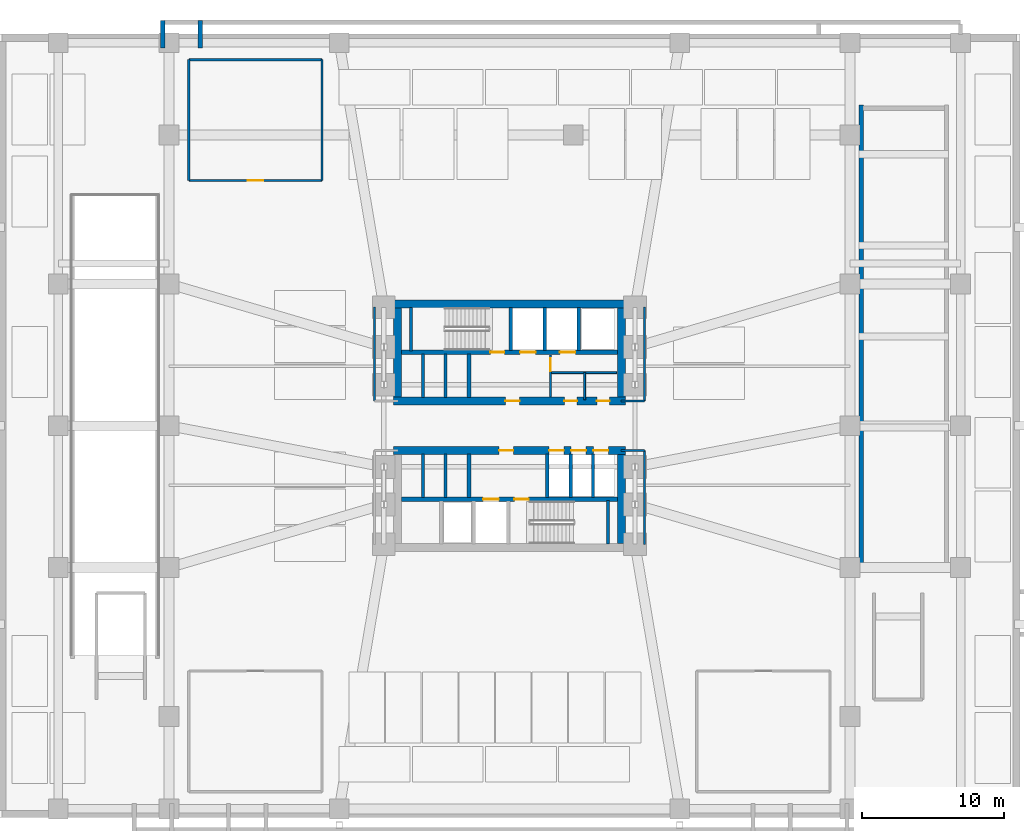
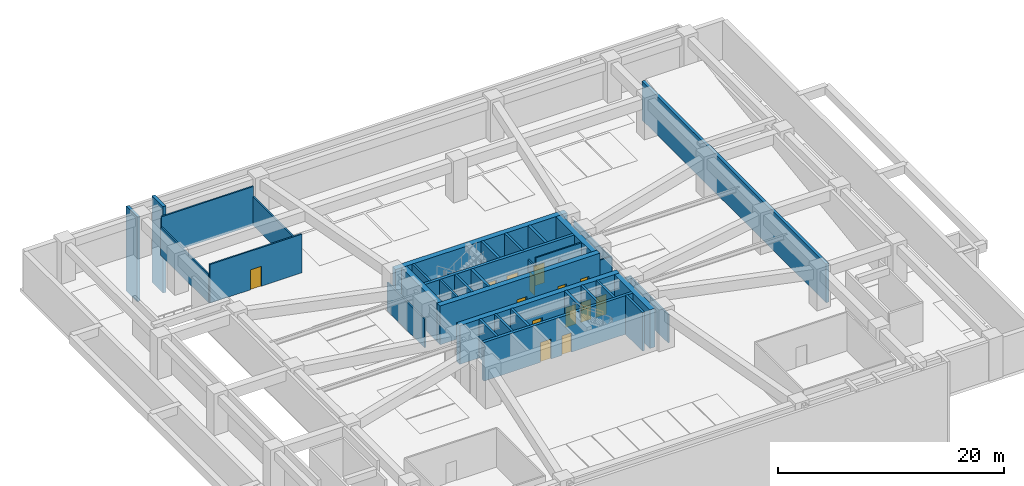
# One storey, part 7 of 13: 37 walls, 14 doors, 14 openings.
"""IFC4 building model written with IfcOpenShell, lengths in metres."""

from ifc_helpers import new_model, si_unit, direction, frame, frame_2d, origin, place, context, subcontext, project, spatial, rectangle, extrude, material, layer, layer_set, type_object, element, fill, save


model = new_model("IFC4")

# Units and contexts
model_context = context("Model", 3, precision=1e-05, world=origin(), true_north=direction((0.0, 1.0)))
body_context = subcontext(model_context, "Body", "Model", "MODEL_VIEW")
ifc_project = project(units=[si_unit("LENGTHUNIT", "METRE"), si_unit("AREAUNIT", "SQUARE_METRE"), si_unit("VOLUMEUNIT", "CUBIC_METRE"), si_unit("PLANEANGLEUNIT", "RADIAN"), si_unit("MASSUNIT", "GRAM", prefix="KILO")], contexts=[model_context])

# Site, building, storey
site_placement = place(None, origin())
site = spatial("IfcSite", under=ifc_project, at=site_placement, CompositionType="ELEMENT")
building_placement = place(site_placement, origin())
building = spatial("IfcBuilding", under=site, at=building_placement, Name="Solmarez Civic Tower", CompositionType="ELEMENT")
storey_placement = place(building_placement, frame((0.0, 0.0, -4.5)))
storey = spatial("IfcBuildingStorey", under=building, at=storey_placement, Name="B1", CompositionType="ELEMENT", Elevation=-4.5)

# Wall
ifc_material_1 = material(Name="Concrete C60/75", Category="concrete")
ifc_layer_1 = layer(ifc_material_1, 0.550048828125)
ifc_layer_set_1 = layer_set([ifc_layer_1], Name="Concrete C60/75")
wall_type_1 = type_object("IfcWallType", Name="WALL-CORE-550", PredefinedType="SHEAR", material=ifc_layer_set_1)
wall_1_placement = place(storey_placement, frame((-8.780029296875, 8.5849609375, 0.0), z_axis=(0.0, 0.0, 1.0), x_axis=(1.0, 0.0, 0.0)))
element("IfcWall", 1, at=wall_1_placement, inside=storey, type_object=wall_type_1, Name="B1 Split-Core Structural Wall NCW-N-B1", PredefinedType="SHEAR", context=body_context, shape_type="SweptSolid", body=[
    extrude(rectangle(XDim=17.56005859375, YDim=0.550048828125, at=frame_2d((8.780029296875, 0.0))), origin(), (0.0, 0.0, 1.0), 4.179931640625),
])

# Wall, openings, doors
wall_2_placement = place(storey_placement, frame((8.169921875, 1.75, 0.0), z_axis=(0.0, 0.0, 1.0), x_axis=(-1.0, 0.0, 0.0)))
wall_2 = element("IfcWall", 2, at=wall_2_placement, inside=storey, type_object=wall_type_1, Name="B1 Split-Core Structural Wall NCW-S-B1", PredefinedType="SHEAR", context=body_context, shape_type="SweptSolid", body=[
    extrude(rectangle(XDim=16.33984375, YDim=0.550048828125, at=frame_2d((8.169921875, 0.0))), origin(), (0.0, 0.0, 1.0), 4.179931640625),
])
opening_1_placement = place(wall_2_placement, frame((7.449951171875, 0.0, 0.0)))
opening_1 = element("IfcOpeningElement", 3, at=opening_1_placement, cuts=wall_2, Name="Opening D-04", PredefinedType="OPENING", context=body_context, shape_type="SweptSolid", body=[
    extrude(rectangle(XDim=1.0, YDim=2.10009765625, at=frame_2d((0.5, 1.050048828125))), frame((0.0, 0.284912109375, 0.0), z_axis=(0.0, -1.0, 0.0), x_axis=(1.0, 0.0, 0.0)), (0.0, 0.0, 1.0), 0.570068359375),
])
opening_2_placement = place(wall_2_placement, frame((3.39990234375, 0.0, 0.0)))
opening_2 = element("IfcOpeningElement", 4, at=opening_2_placement, cuts=wall_2, Name="Opening D-09", PredefinedType="OPENING", context=body_context, shape_type="SweptSolid", body=[
    extrude(rectangle(XDim=0.89990234375, YDim=2.06005859375, at=frame_2d((0.449951171875, 1.030029296875))), frame((0.0, 0.284912109375, 0.0), z_axis=(0.0, -1.0, 0.0), x_axis=(1.0, 0.0, 0.0)), (0.0, 0.0, 1.0), 0.570068359375),
])
opening_3_placement = place(wall_2_placement, frame((1.10009765625, 0.0, 0.0)))
opening_3 = element("IfcOpeningElement", 5, at=opening_3_placement, cuts=wall_2, Name="Opening D-09", PredefinedType="OPENING", context=body_context, shape_type="SweptSolid", body=[
    extrude(rectangle(XDim=0.89990234375, YDim=2.06005859375, at=frame_2d((0.449951171875, 1.030029296875))), frame((0.0, 0.284912109375, 0.0), z_axis=(0.0, -1.0, 0.0), x_axis=(1.0, 0.0, 0.0)), (0.0, 0.0, 1.0), 0.570068359375),
])
ifc_material_2 = material(Name="Steel-Faced Acoustic Fire Door", Category="steel")
door_type_1 = type_object("IfcDoorType", Name="DOOR-FD60-1000", OperationType="NOTDEFINED", PredefinedType="DOOR", material=ifc_material_2)
door_1_placement = place(opening_1_placement, origin())
door_1 = element("IfcDoor", 6, at=door_1_placement, inside=storey, type_object=door_type_1, Name="B1 North Firefighting Lobby Door", OperationType="SINGLE_SWING_RIGHT", OverallHeight=2.10009765625, OverallWidth=1.0, PredefinedType="DOOR", context=body_context, shape_type="SweptSolid", body=[
    extrude(rectangle(XDim=1.0, YDim=2.10009765625, at=frame_2d((0.5, 1.050048828125))), frame((0.0, 0.02490234375, 0.0), z_axis=(0.0, -1.0, 0.0), x_axis=(1.0, 0.0, 0.0)), (0.0, 0.0, 1.0), 0.050048828125),
])
fill(opening_1, door_1)
ifc_material_3 = material(Name="Fire-Rated Service Core Door", Category="wood")
door_type_2 = type_object("IfcDoorType", Name="DOOR-FD60-900", OperationType="NOTDEFINED", PredefinedType="DOOR", material=ifc_material_3)
door_2_placement = place(opening_2_placement, origin())
door_2 = element("IfcDoor", 7, at=door_2_placement, inside=storey, type_object=door_type_2, Name="B1 Core WC Door", OperationType="SINGLE_SWING_LEFT", OverallHeight=2.06005859375, OverallWidth=0.89990234375, PredefinedType="DOOR", context=body_context, shape_type="SweptSolid", body=[
    extrude(rectangle(XDim=0.89990234375, YDim=2.06005859375, at=frame_2d((0.449951171875, 1.030029296875))), frame((0.0, 0.02490234375, 0.0), z_axis=(0.0, -1.0, 0.0), x_axis=(1.0, 0.0, 0.0)), (0.0, 0.0, 1.0), 0.050048828125),
])
fill(opening_2, door_2)
door_3_placement = place(opening_3_placement, origin())
door_3 = element("IfcDoor", 8, at=door_3_placement, inside=storey, type_object=door_type_2, Name="B1 Core CL Door", OperationType="SINGLE_SWING_RIGHT", OverallHeight=2.06005859375, OverallWidth=0.89990234375, PredefinedType="DOOR", context=body_context, shape_type="SweptSolid", body=[
    extrude(rectangle(XDim=0.89990234375, YDim=2.06005859375, at=frame_2d((0.449951171875, 1.030029296875))), frame((0.0, 0.02490234375, 0.0), z_axis=(0.0, -1.0, 0.0), x_axis=(1.0, 0.0, 0.0)), (0.0, 0.0, 1.0), 0.050048828125),
])
fill(opening_3, door_3)

# Walls
for number, where, z_axis, x_axis, name in (
    (9, (-7.89501953125, 2.02490234375, 0.0), (0.0, 0.0, 1.0), (0.0, 1.0, 0.0), "B1 Split-Core Structural Wall NCW-W-B1"),
    (10, (7.89501953125, 8.31005859375, 0.0), (0.0, 0.0, 1.0), (0.0, -1.0, 0.0), "B1 Split-Core Structural Wall NCW-E-B1"),
):
    element("IfcWall", number, at=place(storey_placement, frame(where, z_axis=z_axis, x_axis=x_axis)), inside=storey, type_object=wall_type_1, Name=name, PredefinedType="SHEAR", context=body_context, shape_type="SweptSolid", body=[
        extrude(rectangle(XDim=6.28515625, YDim=0.550048828125, at=frame_2d((3.142578125, 0.0))), origin(), (0.0, 0.0, 1.0), 4.179931640625),
    ])

# Wall, openings, doors
wall_3_placement = place(storey_placement, frame((-8.169921875, -1.75, 0.0), z_axis=(0.0, 0.0, 1.0), x_axis=(1.0, 0.0, 0.0)))
wall_3 = element("IfcWall", 11, at=wall_3_placement, inside=storey, type_object=wall_type_1, Name="B1 Split-Core Structural Wall SCW-N-B1", PredefinedType="SHEAR", context=body_context, shape_type="SweptSolid", body=[
    extrude(rectangle(XDim=16.33984375, YDim=0.550048828125, at=frame_2d((8.169921875, 0.0))), origin(), (0.0, 0.0, 1.0), 4.179931640625),
])
opening_4_placement = place(wall_3_placement, frame((7.449951171875, 0.0, 0.0)))
opening_4 = element("IfcOpeningElement", 12, at=opening_4_placement, cuts=wall_3, Name="Opening D-04", PredefinedType="OPENING", context=body_context, shape_type="SweptSolid", body=[
    extrude(rectangle(XDim=1.0, YDim=2.10009765625, at=frame_2d((0.5, 1.050048828125))), frame((0.0, 0.284912109375, 0.0), z_axis=(0.0, -1.0, 0.0), x_axis=(1.0, 0.0, 0.0)), (0.0, 0.0, 1.0), 0.570068359375),
])
opening_5_placement = place(wall_3_placement, frame((10.965087890625, 0.0, 0.0)))
opening_5 = element("IfcOpeningElement", 13, at=opening_5_placement, cuts=wall_3, Name="Opening LD-01", PredefinedType="OPENING", context=body_context, shape_type="SweptSolid", body=[
    extrude(rectangle(XDim=1.050048828125, YDim=2.14990234375, at=frame_2d((0.52490234375, 1.074951171875))), frame((0.0, 0.284912109375, 0.0), z_axis=(0.0, -1.0, 0.0), x_axis=(1.0, 0.0, 0.0)), (0.0, 0.0, 1.0), 0.570068359375),
])
opening_6_placement = place(wall_3_placement, frame((12.52490234375, 0.0, 0.0)))
opening_6 = element("IfcOpeningElement", 14, at=opening_6_placement, cuts=wall_3, Name="Opening LD-01", PredefinedType="OPENING", context=body_context, shape_type="SweptSolid", body=[
    extrude(rectangle(XDim=1.050048828125, YDim=2.14990234375, at=frame_2d((0.52490234375, 1.074951171875))), frame((0.0, 0.284912109375, 0.0), z_axis=(0.0, -1.0, 0.0), x_axis=(1.0, 0.0, 0.0)), (0.0, 0.0, 1.0), 0.570068359375),
])
opening_7_placement = place(wall_3_placement, frame((14.0849609375, 0.0, 0.0)))
opening_7 = element("IfcOpeningElement", 15, at=opening_7_placement, cuts=wall_3, Name="Opening LD-01", PredefinedType="OPENING", context=body_context, shape_type="SweptSolid", body=[
    extrude(rectangle(XDim=1.050048828125, YDim=2.14990234375, at=frame_2d((0.52490234375, 1.074951171875))), frame((0.0, 0.284912109375, 0.0), z_axis=(0.0, -1.0, 0.0), x_axis=(1.0, 0.0, 0.0)), (0.0, 0.0, 1.0), 0.570068359375),
])
door_4_placement = place(opening_4_placement, origin())
door_4 = element("IfcDoor", 16, at=door_4_placement, inside=storey, type_object=door_type_1, Name="B1 South Firefighting Lobby Door", OperationType="SINGLE_SWING_LEFT", OverallHeight=2.10009765625, OverallWidth=1.0, PredefinedType="DOOR", context=body_context, shape_type="SweptSolid", body=[
    extrude(rectangle(XDim=1.0, YDim=2.10009765625, at=frame_2d((0.5, 1.050048828125))), frame((0.0, 0.02490234375, 0.0), z_axis=(0.0, -1.0, 0.0), x_axis=(1.0, 0.0, 0.0)), (0.0, 0.0, 1.0), 0.050048828125),
])
fill(opening_4, door_4)
ifc_material_4 = material(Name="Bronze Passenger Lift Landing Sliding Door", Category="aluminium")
door_type_3 = type_object("IfcDoorType", Name="DOOR-LD-PAX-1050", OperationType="DOUBLE_DOOR_SLIDING", PredefinedType="DOOR", material=ifc_material_4)
door_5_placement = place(opening_5_placement, origin())
door_5 = element("IfcDoor", 17, at=door_5_placement, inside=storey, type_object=door_type_3, Name="B1 Low-Rise Lift Landing Door PL-L1", OperationType="DOUBLE_DOOR_SLIDING", OverallHeight=2.14990234375, OverallWidth=1.050048828125, PredefinedType="DOOR", context=body_context, shape_type="SweptSolid", body=[
    extrude(rectangle(XDim=1.050048828125, YDim=2.14990234375, at=frame_2d((0.52490234375, 1.074951171875))), frame((0.0, 0.02490234375, 0.0), z_axis=(0.0, -1.0, 0.0), x_axis=(1.0, 0.0, 0.0)), (0.0, 0.0, 1.0), 0.050048828125),
])
fill(opening_5, door_5)
door_6_placement = place(opening_6_placement, origin())
door_6 = element("IfcDoor", 18, at=door_6_placement, inside=storey, type_object=door_type_3, Name="B1 Low-Rise Lift Landing Door PL-L2", OperationType="DOUBLE_DOOR_SLIDING", OverallHeight=2.14990234375, OverallWidth=1.050048828125, PredefinedType="DOOR", context=body_context, shape_type="SweptSolid", body=[
    extrude(rectangle(XDim=1.050048828125, YDim=2.14990234375, at=frame_2d((0.52490234375, 1.074951171875))), frame((0.0, 0.02490234375, 0.0), z_axis=(0.0, -1.0, 0.0), x_axis=(1.0, 0.0, 0.0)), (0.0, 0.0, 1.0), 0.050048828125),
])
fill(opening_6, door_6)
door_7_placement = place(opening_7_placement, origin())
door_7 = element("IfcDoor", 19, at=door_7_placement, inside=storey, type_object=door_type_3, Name="B1 Low-Rise Lift Landing Door PL-L3", OperationType="DOUBLE_DOOR_SLIDING", OverallHeight=2.14990234375, OverallWidth=1.050048828125, PredefinedType="DOOR", context=body_context, shape_type="SweptSolid", body=[
    extrude(rectangle(XDim=1.050048828125, YDim=2.14990234375, at=frame_2d((0.52490234375, 1.074951171875))), frame((0.0, 0.02490234375, 0.0), z_axis=(0.0, -1.0, 0.0), x_axis=(1.0, 0.0, 0.0)), (0.0, 0.0, 1.0), 0.050048828125),
])
fill(opening_7, door_7)

# Walls
wall_4_placement = place(storey_placement, frame((7.89501953125, -2.02490234375, 0.0), z_axis=(0.0, 0.0, 1.0), x_axis=(0.0, -1.0, 0.0)))
element("IfcWall", 20, at=wall_4_placement, inside=storey, type_object=wall_type_1, Name="B1 Split-Core Structural Wall SCW-E-B1", PredefinedType="SHEAR", context=body_context, shape_type="SweptSolid", body=[
    extrude(rectangle(XDim=6.28515625, YDim=0.550048828125, at=frame_2d((3.142578125, 0.0))), origin(), (0.0, 0.0, 1.0), 4.179931640625),
])
ifc_material_5 = material(Name="Gypsum Board Acoustic Steel-Stud Partition", Category="steel")
ifc_layer_2 = layer(ifc_material_5, 0.14990234375)
ifc_layer_set_2 = layer_set([ifc_layer_2], Name="Gypsum Board Acoustic Steel-Stud Partition")
wall_type_2 = type_object("IfcWallType", Name="WALL-INT-FIRE-150", PredefinedType="PARTITIONING", material=ifc_layer_set_2)
for number, where, z_axis, x_axis, name in (
    (21, (-9.52001953125, 1.75, 0.0), (0.0, 0.0, 1.0), (0.0, 1.0, 0.0), "B1 Interior Partition CHW-B1-WN1"),
    (22, (9.52001953125, 1.75, 0.0), (0.0, 0.0, 1.0), (0.0, 1.0, 0.0), "B1 Interior Partition CHW-B1-EN1"),
):
    element("IfcWall", number, at=place(storey_placement, frame(where, z_axis=z_axis, x_axis=x_axis)), inside=storey, type_object=wall_type_2, Name=name, PredefinedType="PARTITIONING", context=body_context, shape_type="SweptSolid", body=[
        extrude(rectangle(XDim=6.6298828125, YDim=0.14990234375, at=frame_2d((3.31494140625, 0.0))), origin(), (0.0, 0.0, 1.0), 3.072021484375),
    ])
wall_5_placement = place(storey_placement, frame((7.85009765625, 1.75, 0.0), z_axis=(0.0, 0.0, 1.0), x_axis=(1.0, 0.0, 0.0)))
element("IfcWall", 23, at=wall_5_placement, inside=storey, type_object=wall_type_2, Name="B1 Interior Partition CHW-B1-EN3", PredefinedType="PARTITIONING", context=body_context, shape_type="SweptSolid", body=[
    extrude(rectangle(XDim=1.669921875, YDim=0.14990234375, at=frame_2d((0.8349609375, 0.0))), origin(), (0.0, 0.0, 1.0), 3.2451171875),
])
wall_6_placement = place(storey_placement, frame((9.52001953125, -8.3798828125, 0.0), z_axis=(0.0, 0.0, 1.0), x_axis=(0.0, 1.0, 0.0)))
element("IfcWall", 24, at=wall_6_placement, inside=storey, type_object=wall_type_2, Name="B1 Interior Partition CHW-B1-ES1", PredefinedType="PARTITIONING", context=body_context, shape_type="SweptSolid", body=[
    extrude(rectangle(XDim=6.6298828125, YDim=0.14990234375, at=frame_2d((3.31494140625, 0.0))), origin(), (0.0, 0.0, 1.0), 3.072021484375),
])
wall_7_placement = place(storey_placement, frame((7.85009765625, -1.75, 0.0), z_axis=(0.0, 0.0, 1.0), x_axis=(1.0, 0.0, 0.0)))
element("IfcWall", 25, at=wall_7_placement, inside=storey, type_object=wall_type_2, Name="B1 Interior Partition CHW-B1-ES3", PredefinedType="PARTITIONING", context=body_context, shape_type="SweptSolid", body=[
    extrude(rectangle(XDim=1.669921875, YDim=0.14990234375, at=frame_2d((0.8349609375, 0.0))), origin(), (0.0, 0.0, 1.0), 3.2451171875),
])

# Wall, opening, door
wall_8_placement = place(storey_placement, frame((-13.199951171875, 17.280029296875, 0.0), z_axis=(0.0, 0.0, 1.0), x_axis=(-1.0, 0.0, 0.0)))
wall_8 = element("IfcWall", 26, at=wall_8_placement, inside=storey, type_object=wall_type_2, Name="B1 Interior Partition PT-B1-NW-F", PredefinedType="PARTITIONING", context=body_context, shape_type="SweptSolid", body=[
    extrude(rectangle(XDim=9.400146484375, YDim=0.14990234375, at=frame_2d((4.7001953125, 0.0))), origin(), (0.0, 0.0, 1.0), 4.179931640625),
])
opening_8_placement = place(wall_8_placement, frame((4.14990234375, 0.0, 0.0)))
opening_8 = element("IfcOpeningElement", 27, at=opening_8_placement, cuts=wall_8, Name="Opening D-07", PredefinedType="OPENING", context=body_context, shape_type="SweptSolid", body=[
    extrude(rectangle(XDim=1.10009765625, YDim=2.14990234375, at=frame_2d((0.550048828125, 1.074951171875))), frame((0.0, 0.0849609375, 0.0), z_axis=(0.0, -1.0, 0.0), x_axis=(1.0, 0.0, 0.0)), (0.0, 0.0, 1.0), 0.169921875),
])
ifc_material_6 = material(Name="Heavy-Duty Fire Exit Door", Category="wood")
door_type_4 = type_object("IfcDoorType", Name="DOOR-FD90-1100", OperationType="NOTDEFINED", PredefinedType="DOOR", material=ifc_material_6)
door_8_placement = place(opening_8_placement, origin())
door_8 = element("IfcDoor", 28, at=door_8_placement, inside=storey, type_object=door_type_4, Name="B1 Bicycle Store and Staff Lockers Door", OperationType="SINGLE_SWING_LEFT", OverallHeight=2.14990234375, OverallWidth=1.10009765625, PredefinedType="DOOR", context=body_context, shape_type="SweptSolid", body=[
    extrude(rectangle(XDim=1.10009765625, YDim=2.14990234375, at=frame_2d((0.550048828125, 1.074951171875))), frame((0.0, 0.02490234375, 0.0), z_axis=(0.0, -1.0, 0.0), x_axis=(1.0, 0.0, 0.0)), (0.0, 0.0, 1.0), 0.050048828125),
])
fill(opening_8, door_8)

# Walls
for number, where, z_axis, x_axis, name in (
    (29, (-22.60009765625, 17.280029296875, 0.0), (0.0, 0.0, 1.0), (0.0, 1.0, 0.0), "B1 Interior Partition PT-B1-NW-W"),
    (30, (-13.199951171875, 17.280029296875, 0.0), (0.0, 0.0, 1.0), (0.0, 1.0, 0.0), "B1 Interior Partition PT-B1-NW-E"),
):
    element("IfcWall", number, at=place(storey_placement, frame(where, z_axis=z_axis, x_axis=x_axis)), inside=storey, type_object=wall_type_2, Name=name, PredefinedType="PARTITIONING", context=body_context, shape_type="SweptSolid", body=[
        extrude(rectangle(XDim=8.52001953125, YDim=0.14990234375, at=frame_2d((4.260009765625, 0.0))), origin(), (0.0, 0.0, 1.0), 3.072021484375),
    ])
wall_9_placement = place(storey_placement, frame((-22.60009765625, 25.800048828125, 0.0), z_axis=(0.0, 0.0, 1.0), x_axis=(1.0, 0.0, 0.0)))
element("IfcWall", 31, at=wall_9_placement, inside=storey, type_object=wall_type_2, Name="B1 Interior Partition PT-B1-NW-B", PredefinedType="PARTITIONING", context=body_context, shape_type="SweptSolid", body=[
    extrude(rectangle(XDim=9.400146484375, YDim=0.14990234375, at=frame_2d((4.7001953125, 0.0))), origin(), (0.0, 0.0, 1.0), 4.179931640625),
])

# Wall, opening, door
ifc_layer_3 = layer(ifc_material_5, 0.159912109375)
ifc_layer_set_3 = layer_set([ifc_layer_3], Name="Gypsum Board Acoustic Steel-Stud Partition")
wall_type_3 = type_object("IfcWallType", Name="WALL-INT-SHAFT-160", PredefinedType="PARTITIONING", material=ifc_layer_set_3)
wall_10_placement = place(storey_placement, frame((2.89990234375, 2.0400390625, 0.0), z_axis=(0.0, 0.0, 1.0), x_axis=(0.0, 1.0, 0.0)))
wall_10 = element("IfcWall", 32, at=wall_10_placement, inside=storey, type_object=wall_type_3, Name="B1 Interior Partition SHW-NL2-B1", PredefinedType="PARTITIONING", context=body_context, shape_type="SweptSolid", body=[
    extrude(rectangle(XDim=2.93994140625, YDim=0.159912109375, at=frame_2d((1.469970703125, 0.0))), origin(), (0.0, 0.0, 1.0), 3.2451171875),
])
opening_9_placement = place(wall_10_placement, frame((1.820068359375, 0.0, 0.0)))
opening_9 = element("IfcOpeningElement", 33, at=opening_9_placement, cuts=wall_10, Name="Opening D-09", PredefinedType="OPENING", context=body_context, shape_type="SweptSolid", body=[
    extrude(rectangle(XDim=0.89990234375, YDim=2.06005859375, at=frame_2d((0.449951171875, 1.030029296875))), frame((0.0, 0.08984375, 0.0), z_axis=(0.0, -1.0, 0.0), x_axis=(1.0, 0.0, 0.0)), (0.0, 0.0, 1.0), 0.179931640625),
])
door_9_placement = place(opening_9_placement, origin())
door_9 = element("IfcDoor", 34, at=door_9_placement, inside=storey, type_object=door_type_2, Name="B1 Service Lift Lobby Door", OperationType="SINGLE_SWING_LEFT", OverallHeight=2.06005859375, OverallWidth=0.89990234375, PredefinedType="DOOR", context=body_context, shape_type="SweptSolid", body=[
    extrude(rectangle(XDim=0.89990234375, YDim=2.06005859375, at=frame_2d((0.449951171875, 1.030029296875))), frame((0.0, 0.02490234375, 0.0), z_axis=(0.0, -1.0, 0.0), x_axis=(1.0, 0.0, 0.0)), (0.0, 0.0, 1.0), 0.050048828125),
])
fill(opening_9, door_9)

# Walls
ifc_layer_4 = layer(ifc_material_5, 0.137939453125)
ifc_layer_set_4 = layer_set([ifc_layer_4], Name="Gypsum Board Acoustic Steel-Stud Partition")
wall_type_4 = type_object("IfcWallType", Name="WALL-INT-WET-140", PredefinedType="PARTITIONING", material=ifc_layer_set_4)
wall_11_placement = place(storey_placement, frame((2.89990234375, 3.739990234375, 0.0), z_axis=(0.0, 0.0, 1.0), x_axis=(1.0, 0.0, 0.0)))
element("IfcWall", 35, at=wall_11_placement, inside=storey, type_object=wall_type_4, Name="B1 Interior Partition SHW-SVH-B1", PredefinedType="PARTITIONING", context=body_context, shape_type="SweptSolid", body=[
    extrude(rectangle(XDim=4.650146484375, YDim=0.137939453125, at=frame_2d((2.3251953125, 0.0))), origin(), (0.0, 0.0, 1.0), 4.179931640625),
])
wall_12_placement = place(storey_placement, frame((5.300048828125, 1.85009765625, 0.0), z_axis=(0.0, 0.0, 1.0), x_axis=(0.0, 1.0, 0.0)))
element("IfcWall", 36, at=wall_12_placement, inside=storey, type_object=wall_type_4, Name="B1 Interior Partition PT-NCSV-B1", PredefinedType="PARTITIONING", context=body_context, shape_type="SweptSolid", body=[
    extrude(rectangle(XDim=1.889892578125, YDim=0.137939453125, at=frame_2d((0.94482421875, 0.0))), origin(), (0.0, 0.0, 1.0), 3.2451171875),
])

# Wall, openings, doors
ifc_material_7 = material(Name="Concrete C50/60", Category="concrete")
ifc_layer_5 = layer(ifc_material_7, 0.300048828125)
ifc_layer_set_5 = layer_set([ifc_layer_5], Name="Concrete C50/60")
wall_type_5 = type_object("IfcWallType", Name="WALL-STR-300", PredefinedType="SOLIDWALL", material=ifc_layer_set_5)
wall_13_placement = place(storey_placement, frame((7.6201171875, 5.179931640625, 0.0), z_axis=(0.0, 0.0, 1.0), x_axis=(-1.0, 0.0, 0.0)))
wall_13 = element("IfcWall", 37, at=wall_13_placement, inside=storey, type_object=wall_type_5, Name="B1 Split-Core Structural Wall NCW-M-B1", PredefinedType="SOLIDWALL", context=body_context, shape_type="SweptSolid", body=[
    extrude(rectangle(XDim=15.240234375, YDim=0.300048828125, at=frame_2d((7.6201171875, 0.0))), origin(), (0.0, 0.0, 1.0), 4.179931640625),
])
opening_10_placement = place(wall_13_placement, frame((5.77001953125, 0.0, 0.0)))
opening_10 = element("IfcOpeningElement", 38, at=opening_10_placement, cuts=wall_13, Name="Opening LD-02", PredefinedType="OPENING", context=body_context, shape_type="SweptSolid", body=[
    extrude(rectangle(XDim=1.10009765625, YDim=2.14990234375, at=frame_2d((0.550048828125, 1.074951171875))), frame((0.0, 0.159912109375, 0.0), z_axis=(0.0, -1.0, 0.0), x_axis=(1.0, 0.0, 0.0)), (0.0, 0.0, 1.0), 0.320068359375),
])
opening_11_placement = place(wall_13_placement, frame((2.969970703125, 0.0, 0.0)))
opening_11 = element("IfcOpeningElement", 39, at=opening_11_placement, cuts=wall_13, Name="Opening LD-03", PredefinedType="OPENING", context=body_context, shape_type="SweptSolid", body=[
    extrude(rectangle(XDim=1.10009765625, YDim=2.14990234375, at=frame_2d((0.550048828125, 1.074951171875))), frame((0.0, 0.159912109375, 0.0), z_axis=(0.0, -1.0, 0.0), x_axis=(1.0, 0.0, 0.0)), (0.0, 0.0, 1.0), 0.320068359375),
])
opening_12_placement = place(wall_13_placement, frame((7.969970703125, 0.0, 0.0)))
opening_12 = element("IfcOpeningElement", 40, at=opening_12_placement, cuts=wall_13, Name="Opening D-05", PredefinedType="OPENING", context=body_context, shape_type="SweptSolid", body=[
    extrude(rectangle(XDim=1.0, YDim=2.10009765625, at=frame_2d((0.5, 1.050048828125))), frame((0.0, 0.159912109375, 0.0), z_axis=(0.0, -1.0, 0.0), x_axis=(1.0, 0.0, 0.0)), (0.0, 0.0, 1.0), 0.320068359375),
])
ifc_material_8 = material(Name="Fire-Rated Stairwell Exit Door", Category="wood")
door_type_5 = type_object("IfcDoorType", Name="DOOR-FD90-1000", OperationType="NOTDEFINED", PredefinedType="DOOR", material=ifc_material_8)
door_10_placement = place(opening_12_placement, origin())
door_10 = element("IfcDoor", 41, at=door_10_placement, inside=storey, type_object=door_type_5, Name="B1 North Exit Stair Door ST-1", OperationType="SINGLE_SWING_RIGHT", OverallHeight=2.10009765625, OverallWidth=1.0, PredefinedType="DOOR", context=body_context, shape_type="SweptSolid", body=[
    extrude(rectangle(XDim=1.0, YDim=2.10009765625, at=frame_2d((0.5, 1.050048828125))), frame((0.0, 0.02490234375, 0.0), z_axis=(0.0, -1.0, 0.0), x_axis=(1.0, 0.0, 0.0)), (0.0, 0.0, 1.0), 0.050048828125),
])
fill(opening_12, door_10)
ifc_material_9 = material(Name="Stainless Firefighting Lift Landing Sliding Door", Category="aluminium")
door_type_6 = type_object("IfcDoorType", Name="DOOR-LD-FF-1100", OperationType="DOUBLE_DOOR_SLIDING", PredefinedType="DOOR", material=ifc_material_9)
door_11_placement = place(opening_10_placement, origin())
door_11 = element("IfcDoor", 42, at=door_11_placement, inside=storey, type_object=door_type_6, Name="B1 Firefighting Lift Landing Door FFL-1", OperationType="DOUBLE_DOOR_SLIDING", OverallHeight=2.14990234375, OverallWidth=1.10009765625, PredefinedType="DOOR", context=body_context, shape_type="SweptSolid", body=[
    extrude(rectangle(XDim=1.10009765625, YDim=2.14990234375, at=frame_2d((0.550048828125, 1.074951171875))), frame((0.0, 0.02490234375, 0.0), z_axis=(0.0, -1.0, 0.0), x_axis=(1.0, 0.0, 0.0)), (0.0, 0.0, 1.0), 0.050048828125),
])
fill(opening_10, door_11)
ifc_material_10 = material(Name="Stainless Stretcher Lift Landing Sliding Door", Category="aluminium")
door_type_7 = type_object("IfcDoorType", Name="DOOR-LD-SV-1100", OperationType="DOUBLE_DOOR_SLIDING", PredefinedType="DOOR", material=ifc_material_10)
door_12_placement = place(opening_11_placement, origin())
door_12 = element("IfcDoor", 43, at=door_12_placement, inside=storey, type_object=door_type_7, Name="B1 Service Stretcher Lift Landing Door SVL-1", OperationType="DOUBLE_DOOR_SLIDING", OverallHeight=2.14990234375, OverallWidth=1.10009765625, PredefinedType="DOOR", context=body_context, shape_type="SweptSolid", body=[
    extrude(rectangle(XDim=1.10009765625, YDim=2.14990234375, at=frame_2d((0.550048828125, 1.074951171875))), frame((0.0, 0.02490234375, 0.0), z_axis=(0.0, -1.0, 0.0), x_axis=(1.0, 0.0, 0.0)), (0.0, 0.0, 1.0), 0.050048828125),
])
fill(opening_11, door_12)

wall_14_placement = place(storey_placement, frame((-7.6201171875, -5.179931640625, 0.0), z_axis=(0.0, 0.0, 1.0), x_axis=(1.0, 0.0, 0.0)))
wall_14 = element("IfcWall", 44, at=wall_14_placement, inside=storey, type_object=wall_type_5, Name="B1 Split-Core Structural Wall SCW-M-B1", PredefinedType="SOLIDWALL", context=body_context, shape_type="SweptSolid", body=[
    extrude(rectangle(XDim=15.240234375, YDim=0.300048828125, at=frame_2d((7.6201171875, 0.0))), origin(), (0.0, 0.0, 1.0), 4.179931640625),
])
opening_13_placement = place(wall_14_placement, frame((5.77001953125, 0.0, 0.0)))
opening_13 = element("IfcOpeningElement", 45, at=opening_13_placement, cuts=wall_14, Name="Opening LD-02", PredefinedType="OPENING", context=body_context, shape_type="SweptSolid", body=[
    extrude(rectangle(XDim=1.10009765625, YDim=2.14990234375, at=frame_2d((0.550048828125, 1.074951171875))), frame((0.0, 0.159912109375, 0.0), z_axis=(0.0, -1.0, 0.0), x_axis=(1.0, 0.0, 0.0)), (0.0, 0.0, 1.0), 0.320068359375),
])
opening_14_placement = place(wall_14_placement, frame((7.969970703125, 0.0, 0.0)))
opening_14 = element("IfcOpeningElement", 46, at=opening_14_placement, cuts=wall_14, Name="Opening D-05", PredefinedType="OPENING", context=body_context, shape_type="SweptSolid", body=[
    extrude(rectangle(XDim=1.0, YDim=2.10009765625, at=frame_2d((0.5, 1.050048828125))), frame((0.0, 0.159912109375, 0.0), z_axis=(0.0, -1.0, 0.0), x_axis=(1.0, 0.0, 0.0)), (0.0, 0.0, 1.0), 0.320068359375),
])
door_13_placement = place(opening_14_placement, origin())
door_13 = element("IfcDoor", 47, at=door_13_placement, inside=storey, type_object=door_type_5, Name="B1 South Exit Stair Door ST-2", OperationType="SINGLE_SWING_LEFT", OverallHeight=2.10009765625, OverallWidth=1.0, PredefinedType="DOOR", context=body_context, shape_type="SweptSolid", body=[
    extrude(rectangle(XDim=1.0, YDim=2.10009765625, at=frame_2d((0.5, 1.050048828125))), frame((0.0, 0.02490234375, 0.0), z_axis=(0.0, -1.0, 0.0), x_axis=(1.0, 0.0, 0.0)), (0.0, 0.0, 1.0), 0.050048828125),
])
fill(opening_14, door_13)
door_14_placement = place(opening_13_placement, origin())
door_14 = element("IfcDoor", 48, at=door_14_placement, inside=storey, type_object=door_type_6, Name="B1 Firefighting Lift Landing Door FFL-2", OperationType="DOUBLE_DOOR_SLIDING", OverallHeight=2.14990234375, OverallWidth=1.10009765625, PredefinedType="DOOR", context=body_context, shape_type="SweptSolid", body=[
    extrude(rectangle(XDim=1.10009765625, YDim=2.14990234375, at=frame_2d((0.550048828125, 1.074951171875))), frame((0.0, 0.02490234375, 0.0), z_axis=(0.0, -1.0, 0.0), x_axis=(1.0, 0.0, 0.0)), (0.0, 0.0, 1.0), 0.050048828125),
])
fill(opening_13, door_14)

# Walls
for number, where, z_axis, x_axis, name in (
    (49, (-6.949951171875, 5.280029296875, 0.0), (0.0, 0.0, 1.0), (0.0, 1.0, 0.0), "B1 Split-Core Structural Wall SHW-NW-B1"),
    (50, (6.949951171875, -8.340087890625, 0.0), (0.0, 0.0, 1.0), (0.0, 1.0, 0.0), "B1 Split-Core Structural Wall SHW-SE-B1"),
):
    element("IfcWall", number, at=place(storey_placement, frame(where, z_axis=z_axis, x_axis=x_axis)), inside=storey, type_object=wall_type_5, Name=name, PredefinedType="SOLIDWALL", context=body_context, shape_type="SweptSolid", body=[
        extrude(rectangle(XDim=3.06005859375, YDim=0.219970703125, at=frame_2d((1.530029296875, 0.0))), origin(), (0.0, 0.0, 1.0), 4.179931640625),
    ])
for number, where, z_axis, x_axis, name in (
    (51, (0.10009765625, 5.300048828125, 0.0), (0.0, 0.0, 1.0), (0.0, 1.0, 0.0), "B1 Split-Core Structural Wall SHW-N1-B1"),
    (52, (2.5, 5.300048828125, 0.0), (0.0, 0.0, 1.0), (0.0, 1.0, 0.0), "B1 Split-Core Structural Wall SHW-N2-B1"),
    (53, (4.89990234375, 5.300048828125, 0.0), (0.0, 0.0, 1.0), (0.0, 1.0, 0.0), "B1 Split-Core Structural Wall SHW-N3-B1"),
):
    element("IfcWall", number, at=place(storey_placement, frame(where, z_axis=z_axis, x_axis=x_axis)), inside=storey, type_object=wall_type_5, Name=name, PredefinedType="SOLIDWALL", context=body_context, shape_type="SweptSolid", body=[
        extrude(rectangle(XDim=3.0400390625, YDim=0.25, at=frame_2d((1.52001953125, 0.0))), origin(), (0.0, 0.0, 1.0), 4.179931640625),
    ])
for number, where, z_axis, x_axis, name in (
    (54, (-2.85009765625, 1.97998046875, 0.0), (0.0, 0.0, 1.0), (0.0, 1.0, 0.0), "B1 Split-Core Structural Wall SHW-NL1-B1"),
    (55, (-2.85009765625, -5.050048828125, 0.0), (0.0, 0.0, 1.0), (0.0, 1.0, 0.0), "B1 Split-Core Structural Wall SHW-SL1-B1"),
    (56, (2.64990234375, -5.050048828125, 0.0), (0.0, 0.0, 1.0), (0.0, 1.0, 0.0), "B1 Split-Core Structural Wall SHW-SL2-B1"),
):
    element("IfcWall", number, at=place(storey_placement, frame(where, z_axis=z_axis, x_axis=x_axis)), inside=storey, type_object=wall_type_5, Name=name, PredefinedType="SOLIDWALL", context=body_context, shape_type="SweptSolid", body=[
        extrude(rectangle(XDim=3.070068359375, YDim=0.25, at=frame_2d((1.53515625, 0.0))), origin(), (0.0, 0.0, 1.0), 4.179931640625),
    ])
for number, where, z_axis, x_axis, name in (
    (57, (-6.080078125, 1.97998046875, 0.0), (0.0, 0.0, 1.0), (0.0, 1.0, 0.0), "B1 Split-Core Structural Wall SHW-PLH-B1-1"),
    (58, (-4.52001953125, 1.97998046875, 0.0), (0.0, 0.0, 1.0), (0.0, 1.0, 0.0), "B1 Split-Core Structural Wall SHW-PLH-B1-2"),
    (59, (4.320068359375, -5.050048828125, 0.0), (0.0, 0.0, 1.0), (0.0, 1.0, 0.0), "B1 Split-Core Structural Wall SHW-PLL-B1-1"),
    (60, (5.8798828125, -5.050048828125, 0.0), (0.0, 0.0, 1.0), (0.0, 1.0, 0.0), "B1 Split-Core Structural Wall SHW-PLL-B1-2"),
    (61, (-6.080078125, -5.050048828125, 0.0), (0.0, 0.0, 1.0), (0.0, 1.0, 0.0), "B1 Split-Core Structural Wall SHW-PLM-B1-1"),
    (62, (-4.52001953125, -5.050048828125, 0.0), (0.0, 0.0, 1.0), (0.0, 1.0, 0.0), "B1 Split-Core Structural Wall SHW-PLM-B1-2"),
):
    element("IfcWall", number, at=place(storey_placement, frame(where, z_axis=z_axis, x_axis=x_axis)), inside=storey, type_object=wall_type_5, Name=name, PredefinedType="SOLIDWALL", context=body_context, shape_type="SweptSolid", body=[
        extrude(rectangle(XDim=3.070068359375, YDim=0.219970703125, at=frame_2d((1.53515625, 0.0))), origin(), (0.0, 0.0, 1.0), 4.179931640625),
    ])
wall_15_placement = place(storey_placement, frame((24.800048828125, -10.0, 0.0), z_axis=(0.0, 0.0, 1.0), x_axis=(0.0, 1.0, 0.0)))
element("IfcWall", 63, at=wall_15_placement, inside=storey, type_object=wall_type_5, Name="B1 Vehicle Ramp Structural Wall SW-VR1-W-B1", PredefinedType="SOLIDWALL", context=body_context, shape_type="SweptSolid", body=[
    extrude(rectangle(XDim=32.60009765625, YDim=0.300048828125, at=frame_2d((16.300048828125, 0.0))), origin(), (0.0, 0.0, 1.0), 4.179931640625),
])
wall_16_placement = place(storey_placement, frame((-24.43994140625, 26.6201171875, -4.85009765625), z_axis=(0.0, 0.0, 1.0), x_axis=(0.0, 1.0, 0.0)))
element("IfcWall", 64, at=wall_16_placement, inside=storey, type_object=wall_type_5, Name="B1 Substructure Bearing Wall SW-AR3-LO-B1", PredefinedType="SOLIDWALL", context=body_context, shape_type="SweptSolid", body=[
    extrude(rectangle(XDim=1.9599609375, YDim=0.300048828125, at=frame_2d((0.97998046875, 0.0))), origin(), (0.0, 0.0, 1.0), 9.14501953125),
])
wall_17_placement = place(storey_placement, frame((-21.800048828125, 26.6201171875, -4.85009765625), z_axis=(0.0, 0.0, 1.0), x_axis=(0.0, 1.0, 0.0)))
element("IfcWall", 65, at=wall_17_placement, inside=storey, type_object=wall_type_5, Name="B1 Substructure Bearing Wall SW-AR3-HI-B1", PredefinedType="SOLIDWALL", context=body_context, shape_type="SweptSolid", body=[
    extrude(rectangle(XDim=1.9599609375, YDim=0.300048828125, at=frame_2d((0.97998046875, 0.0))), origin(), (0.0, 0.0, 1.0), 9.35009765625),
])

save(model, "model.ifc")
